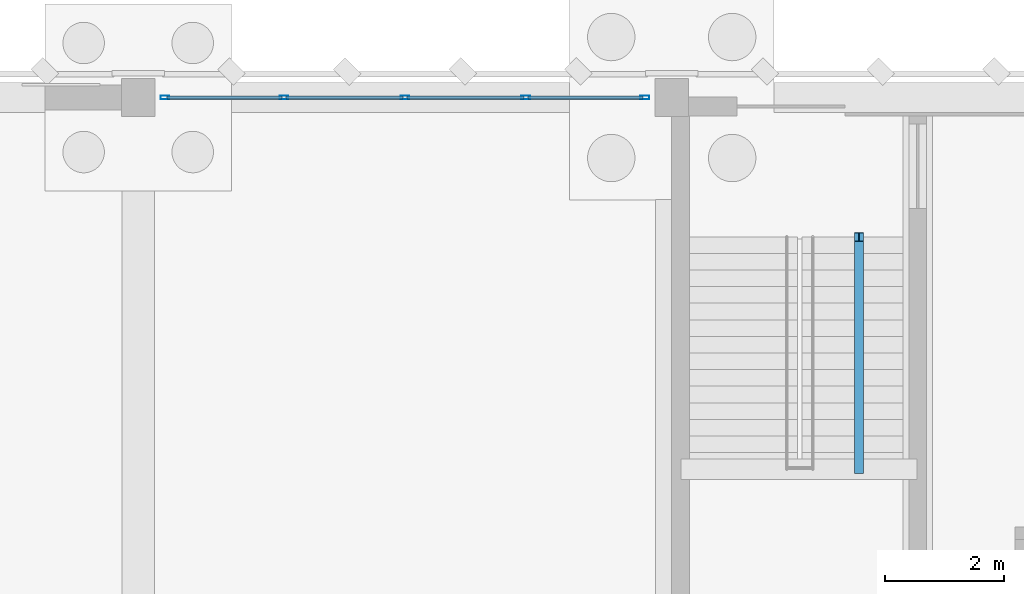
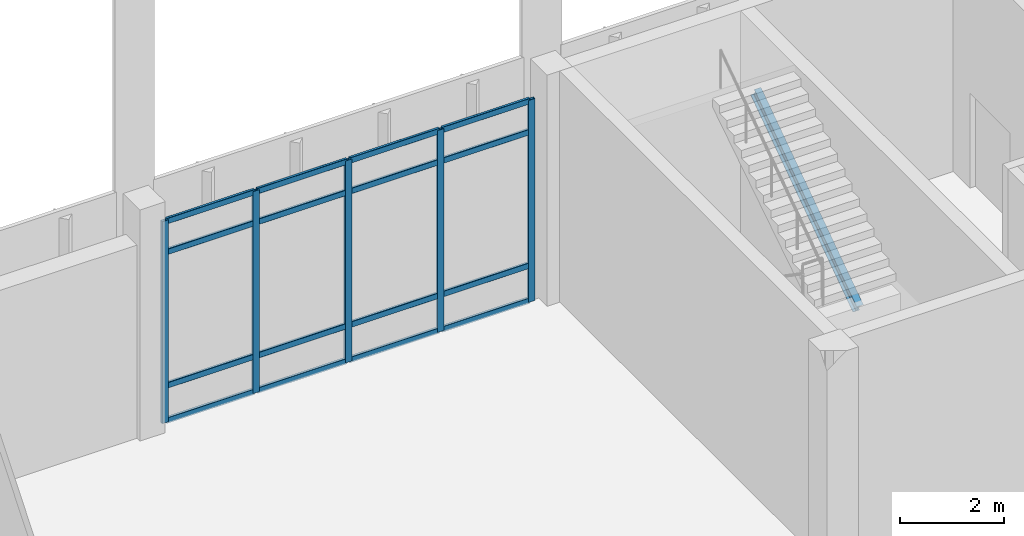
# One storey, part 58 of 109: 21 members, 1 beam, 1 element without a shape of its own.
"""IFC4 building model written with IfcOpenShell, lengths in metres."""

from ifc_helpers import new_model, si_unit, direction, frame, origin, origin_2d, place, context, subcontext, project, spatial, hollow_rectangle, i_section, extrude, material, material_profile, profile_set, type_object, element, aggregate, save


model = new_model("IFC4")

# Units and contexts
model_context = context("Model", 3, precision=1e-05, world=origin(), true_north=direction((0.0, 1.0)))
body_context = subcontext(model_context, "Body", "Model", "MODEL_VIEW")
ifc_project = project(units=[si_unit("LENGTHUNIT", "METRE"), si_unit("AREAUNIT", "SQUARE_METRE"), si_unit("VOLUMEUNIT", "CUBIC_METRE"), si_unit("PLANEANGLEUNIT", "RADIAN"), si_unit("MASSUNIT", "GRAM", prefix="KILO")], contexts=[model_context])

# Site, building, storey
site_placement = place(None, origin())
site = spatial("IfcSite", under=ifc_project, at=site_placement, CompositionType="ELEMENT")
building_placement = place(site_placement, origin())
building = spatial("IfcBuilding", under=site, at=building_placement, Name="Lusvemor Sports Hall", CompositionType="ELEMENT")
storey_placement = place(building_placement, origin())
storey = spatial("IfcBuildingStorey", under=building, at=storey_placement, Name="L00", CompositionType="ELEMENT", Elevation=0.0)

# Curtain wall, members
ifc_material_1 = material(Name="Thermally broken bronze-anodized aluminium", Category="aluminium")
curtain_wall_type = type_object("IfcCurtainWallType", Name="CW_WING_B", PredefinedType="NOTDEFINED", material=ifc_material_1)
curtain_wall_placement = place(storey_placement, origin())
curtain_wall = element("IfcCurtainWall", 1, at=curtain_wall_placement, inside=storey, type_object=curtain_wall_type, Name="Curtain Wall CW-L00-N-1-9", PredefinedType="NOTDEFINED")
ifc_material_2 = material(Name="Thermally broken bronze-anodized aluminium", Category="aluminium")
ifc_material_profile_1 = material_profile(ifc_material_2, hollow_rectangle(XDim=0.06494140625, YDim=0.14990234375, WallThickness=0.00390625, InnerFilletRadius=0.00390625, OuterFilletRadius=0.008056640625, at=origin_2d()), Name="CWMUL150x65x4")
ifc_profile_set_1 = profile_set([ifc_material_profile_1], Name="Thermally broken bronze-anodized aluminium")
member_type_1 = type_object("IfcMemberType", Name="CW_MUL_B", PredefinedType="MULLION", material=ifc_profile_set_1)
member_1_placement = place(storey_placement, frame((94.052490234375, 115.199951171875, 0.0), z_axis=(0.0, 0.0, 1.0), x_axis=(0.0, 1.0, 0.0)))
member_1 = element("IfcMember", 2, at=member_1_placement, type_object=member_type_1, Name="CW02 mullion 1", PredefinedType="MULLION", context=body_context, shape_type="SweptSolid", body=[
    extrude(hollow_rectangle(XDim=0.06494140625, YDim=0.14990234375, WallThickness=0.00390625, InnerFilletRadius=0.00390625, OuterFilletRadius=0.008056640625, at=origin_2d()), origin(), (0.0, 0.0, 1.0), 4.719970703125),
])
member_2_placement = place(storey_placement, frame((96.06005859375, 115.199951171875, 0.0), z_axis=(0.0, 0.0, 1.0), x_axis=(0.0, 1.0, 0.0)))
member_2 = element("IfcMember", 3, at=member_2_placement, type_object=member_type_1, Name="CW02 mullion 2", PredefinedType="MULLION", context=body_context, shape_type="SweptSolid", body=[
    extrude(hollow_rectangle(XDim=0.06494140625, YDim=0.14990234375, WallThickness=0.00390625, InnerFilletRadius=0.00390625, OuterFilletRadius=0.008056640625, at=origin_2d()), origin(), (0.0, 0.0, 1.0), 4.719970703125),
])
member_3_placement = place(storey_placement, frame((98.10009765625, 115.199951171875, 0.0), z_axis=(0.0, 0.0, 1.0), x_axis=(0.0, 1.0, 0.0)))
member_3 = element("IfcMember", 4, at=member_3_placement, type_object=member_type_1, Name="CW02 mullion 3", PredefinedType="MULLION", context=body_context, shape_type="SweptSolid", body=[
    extrude(hollow_rectangle(XDim=0.06494140625, YDim=0.14990234375, WallThickness=0.00390625, InnerFilletRadius=0.00390625, OuterFilletRadius=0.008056640625, at=origin_2d()), origin(), (0.0, 0.0, 1.0), 4.719970703125),
])
member_4_placement = place(storey_placement, frame((100.139892578125, 115.199951171875, 0.0), z_axis=(0.0, 0.0, 1.0), x_axis=(0.0, 1.0, 0.0)))
member_4 = element("IfcMember", 5, at=member_4_placement, type_object=member_type_1, Name="CW02 mullion 4", PredefinedType="MULLION", context=body_context, shape_type="SweptSolid", body=[
    extrude(hollow_rectangle(XDim=0.06494140625, YDim=0.14990234375, WallThickness=0.00390625, InnerFilletRadius=0.00390625, OuterFilletRadius=0.008056640625, at=origin_2d()), origin(), (0.0, 0.0, 1.0), 4.719970703125),
])
member_5_placement = place(storey_placement, frame((102.1474609375, 115.199951171875, 0.0), z_axis=(0.0, 0.0, 1.0), x_axis=(0.0, 1.0, 0.0)))
member_5 = element("IfcMember", 6, at=member_5_placement, type_object=member_type_1, Name="CW02 mullion 5", PredefinedType="MULLION", context=body_context, shape_type="SweptSolid", body=[
    extrude(hollow_rectangle(XDim=0.06494140625, YDim=0.14990234375, WallThickness=0.00390625, InnerFilletRadius=0.00390625, OuterFilletRadius=0.008056640625, at=origin_2d()), origin(), (0.0, 0.0, 1.0), 4.719970703125),
])
ifc_material_3 = material(Name="Thermally broken bronze-anodized aluminium", Category="aluminium")
ifc_material_profile_2 = material_profile(ifc_material_3, hollow_rectangle(XDim=0.06005859375, YDim=0.135009765625, WallThickness=0.00390625, InnerFilletRadius=0.00390625, OuterFilletRadius=0.008056640625, at=origin_2d()), Name="CWTRN135x60x4")
ifc_profile_set_2 = profile_set([ifc_material_profile_2], Name="Thermally broken bronze-anodized aluminium")
member_type_2 = type_object("IfcMemberType", Name="CW_TRN_B", PredefinedType="USERDEFINED", material=ifc_profile_set_2)
member_6_placement = place(storey_placement, frame((94.0849609375, 115.199951171875, 0.030029296875), z_axis=(1.0, 0.0, 0.0), x_axis=(0.0, 1.0, 0.0)))
member_6 = element("IfcMember", 7, at=member_6_placement, type_object=member_type_2, Name="CW02 transom 1.1", ObjectType="TRANSOM", PredefinedType="USERDEFINED", context=body_context, shape_type="SweptSolid", body=[
    extrude(hollow_rectangle(XDim=0.06005859375, YDim=0.135009765625, WallThickness=0.00390625, InnerFilletRadius=0.00390625, OuterFilletRadius=0.008056640625, at=origin_2d()), origin(), (0.0, 0.0, 1.0), 1.942626953125),
])
member_7_placement = place(storey_placement, frame((94.0849609375, 115.199951171875, 0.85009765625), z_axis=(1.0, 0.0, 0.0), x_axis=(0.0, 1.0, 0.0)))
member_7 = element("IfcMember", 8, at=member_7_placement, type_object=member_type_2, Name="CW02 transom 1.2", ObjectType="TRANSOM", PredefinedType="USERDEFINED", context=body_context, shape_type="SweptSolid", body=[
    extrude(hollow_rectangle(XDim=0.06005859375, YDim=0.135009765625, WallThickness=0.00390625, InnerFilletRadius=0.00390625, OuterFilletRadius=0.008056640625, at=origin_2d()), origin(), (0.0, 0.0, 1.0), 1.942626953125),
])
member_8_placement = place(storey_placement, frame((94.0849609375, 115.199951171875, 3.969970703125), z_axis=(1.0, 0.0, 0.0), x_axis=(0.0, 1.0, 0.0)))
member_8 = element("IfcMember", 9, at=member_8_placement, type_object=member_type_2, Name="CW02 transom 1.3", ObjectType="TRANSOM", PredefinedType="USERDEFINED", context=body_context, shape_type="SweptSolid", body=[
    extrude(hollow_rectangle(XDim=0.06005859375, YDim=0.135009765625, WallThickness=0.00390625, InnerFilletRadius=0.00390625, OuterFilletRadius=0.008056640625, at=origin_2d()), origin(), (0.0, 0.0, 1.0), 1.942626953125),
])
member_9_placement = place(storey_placement, frame((94.0849609375, 115.199951171875, 4.68994140625), z_axis=(1.0, 0.0, 0.0), x_axis=(0.0, 1.0, 0.0)))
member_9 = element("IfcMember", 10, at=member_9_placement, type_object=member_type_2, Name="CW02 transom 1.4", ObjectType="TRANSOM", PredefinedType="USERDEFINED", context=body_context, shape_type="SweptSolid", body=[
    extrude(hollow_rectangle(XDim=0.06005859375, YDim=0.135009765625, WallThickness=0.00390625, InnerFilletRadius=0.00390625, OuterFilletRadius=0.008056640625, at=origin_2d()), origin(), (0.0, 0.0, 1.0), 1.942626953125),
])
member_10_placement = place(storey_placement, frame((96.092529296875, 115.199951171875, 0.030029296875), z_axis=(1.0, 0.0, 0.0), x_axis=(0.0, 1.0, 0.0)))
member_10 = element("IfcMember", 11, at=member_10_placement, type_object=member_type_2, Name="CW02 transom 2.1", ObjectType="TRANSOM", PredefinedType="USERDEFINED", context=body_context, shape_type="SweptSolid", body=[
    extrude(hollow_rectangle(XDim=0.06005859375, YDim=0.135009765625, WallThickness=0.00390625, InnerFilletRadius=0.00390625, OuterFilletRadius=0.008056640625, at=origin_2d()), origin(), (0.0, 0.0, 1.0), 1.974853515625),
])
member_11_placement = place(storey_placement, frame((96.092529296875, 115.199951171875, 0.85009765625), z_axis=(1.0, 0.0, 0.0), x_axis=(0.0, 1.0, 0.0)))
member_11 = element("IfcMember", 12, at=member_11_placement, type_object=member_type_2, Name="CW02 transom 2.2", ObjectType="TRANSOM", PredefinedType="USERDEFINED", context=body_context, shape_type="SweptSolid", body=[
    extrude(hollow_rectangle(XDim=0.06005859375, YDim=0.135009765625, WallThickness=0.00390625, InnerFilletRadius=0.00390625, OuterFilletRadius=0.008056640625, at=origin_2d()), origin(), (0.0, 0.0, 1.0), 1.974853515625),
])
member_12_placement = place(storey_placement, frame((96.092529296875, 115.199951171875, 3.969970703125), z_axis=(1.0, 0.0, 0.0), x_axis=(0.0, 1.0, 0.0)))
member_12 = element("IfcMember", 13, at=member_12_placement, type_object=member_type_2, Name="CW02 transom 2.3", ObjectType="TRANSOM", PredefinedType="USERDEFINED", context=body_context, shape_type="SweptSolid", body=[
    extrude(hollow_rectangle(XDim=0.06005859375, YDim=0.135009765625, WallThickness=0.00390625, InnerFilletRadius=0.00390625, OuterFilletRadius=0.008056640625, at=origin_2d()), origin(), (0.0, 0.0, 1.0), 1.974853515625),
])
member_13_placement = place(storey_placement, frame((96.092529296875, 115.199951171875, 4.68994140625), z_axis=(1.0, 0.0, 0.0), x_axis=(0.0, 1.0, 0.0)))
member_13 = element("IfcMember", 14, at=member_13_placement, type_object=member_type_2, Name="CW02 transom 2.4", ObjectType="TRANSOM", PredefinedType="USERDEFINED", context=body_context, shape_type="SweptSolid", body=[
    extrude(hollow_rectangle(XDim=0.06005859375, YDim=0.135009765625, WallThickness=0.00390625, InnerFilletRadius=0.00390625, OuterFilletRadius=0.008056640625, at=origin_2d()), origin(), (0.0, 0.0, 1.0), 1.974853515625),
])
member_14_placement = place(storey_placement, frame((98.132568359375, 115.199951171875, 0.030029296875), z_axis=(1.0, 0.0, 0.0), x_axis=(0.0, 1.0, 0.0)))
member_14 = element("IfcMember", 15, at=member_14_placement, type_object=member_type_2, Name="CW02 transom 3.1", ObjectType="TRANSOM", PredefinedType="USERDEFINED", context=body_context, shape_type="SweptSolid", body=[
    extrude(hollow_rectangle(XDim=0.06005859375, YDim=0.135009765625, WallThickness=0.00390625, InnerFilletRadius=0.00390625, OuterFilletRadius=0.008056640625, at=origin_2d()), origin(), (0.0, 0.0, 1.0), 1.974853515625),
])
member_15_placement = place(storey_placement, frame((98.132568359375, 115.199951171875, 0.85009765625), z_axis=(1.0, 0.0, 0.0), x_axis=(0.0, 1.0, 0.0)))
member_15 = element("IfcMember", 16, at=member_15_placement, type_object=member_type_2, Name="CW02 transom 3.2", ObjectType="TRANSOM", PredefinedType="USERDEFINED", context=body_context, shape_type="SweptSolid", body=[
    extrude(hollow_rectangle(XDim=0.06005859375, YDim=0.135009765625, WallThickness=0.00390625, InnerFilletRadius=0.00390625, OuterFilletRadius=0.008056640625, at=origin_2d()), origin(), (0.0, 0.0, 1.0), 1.974853515625),
])
member_16_placement = place(storey_placement, frame((98.132568359375, 115.199951171875, 3.969970703125), z_axis=(1.0, 0.0, 0.0), x_axis=(0.0, 1.0, 0.0)))
member_16 = element("IfcMember", 17, at=member_16_placement, type_object=member_type_2, Name="CW02 transom 3.3", ObjectType="TRANSOM", PredefinedType="USERDEFINED", context=body_context, shape_type="SweptSolid", body=[
    extrude(hollow_rectangle(XDim=0.06005859375, YDim=0.135009765625, WallThickness=0.00390625, InnerFilletRadius=0.00390625, OuterFilletRadius=0.008056640625, at=origin_2d()), origin(), (0.0, 0.0, 1.0), 1.974853515625),
])
member_17_placement = place(storey_placement, frame((98.132568359375, 115.199951171875, 4.68994140625), z_axis=(1.0, 0.0, 0.0), x_axis=(0.0, 1.0, 0.0)))
member_17 = element("IfcMember", 18, at=member_17_placement, type_object=member_type_2, Name="CW02 transom 3.4", ObjectType="TRANSOM", PredefinedType="USERDEFINED", context=body_context, shape_type="SweptSolid", body=[
    extrude(hollow_rectangle(XDim=0.06005859375, YDim=0.135009765625, WallThickness=0.00390625, InnerFilletRadius=0.00390625, OuterFilletRadius=0.008056640625, at=origin_2d()), origin(), (0.0, 0.0, 1.0), 1.974853515625),
])
member_18_placement = place(storey_placement, frame((100.172607421875, 115.199951171875, 0.030029296875), z_axis=(1.0, 0.0, 0.0), x_axis=(0.0, 1.0, 0.0)))
member_18 = element("IfcMember", 19, at=member_18_placement, type_object=member_type_2, Name="CW02 transom 4.1", ObjectType="TRANSOM", PredefinedType="USERDEFINED", context=body_context, shape_type="SweptSolid", body=[
    extrude(hollow_rectangle(XDim=0.06005859375, YDim=0.135009765625, WallThickness=0.00390625, InnerFilletRadius=0.00390625, OuterFilletRadius=0.008056640625, at=origin_2d()), origin(), (0.0, 0.0, 1.0), 1.9423828125),
])
member_19_placement = place(storey_placement, frame((100.172607421875, 115.199951171875, 0.85009765625), z_axis=(1.0, 0.0, 0.0), x_axis=(0.0, 1.0, 0.0)))
member_19 = element("IfcMember", 20, at=member_19_placement, type_object=member_type_2, Name="CW02 transom 4.2", ObjectType="TRANSOM", PredefinedType="USERDEFINED", context=body_context, shape_type="SweptSolid", body=[
    extrude(hollow_rectangle(XDim=0.06005859375, YDim=0.135009765625, WallThickness=0.00390625, InnerFilletRadius=0.00390625, OuterFilletRadius=0.008056640625, at=origin_2d()), origin(), (0.0, 0.0, 1.0), 1.9423828125),
])
member_20_placement = place(storey_placement, frame((100.172607421875, 115.199951171875, 3.969970703125), z_axis=(1.0, 0.0, 0.0), x_axis=(0.0, 1.0, 0.0)))
member_20 = element("IfcMember", 21, at=member_20_placement, type_object=member_type_2, Name="CW02 transom 4.3", ObjectType="TRANSOM", PredefinedType="USERDEFINED", context=body_context, shape_type="SweptSolid", body=[
    extrude(hollow_rectangle(XDim=0.06005859375, YDim=0.135009765625, WallThickness=0.00390625, InnerFilletRadius=0.00390625, OuterFilletRadius=0.008056640625, at=origin_2d()), origin(), (0.0, 0.0, 1.0), 1.9423828125),
])
member_21_placement = place(storey_placement, frame((100.172607421875, 115.199951171875, 4.68994140625), z_axis=(1.0, 0.0, 0.0), x_axis=(0.0, 1.0, 0.0)))
member_21 = element("IfcMember", 22, at=member_21_placement, type_object=member_type_2, Name="CW02 transom 4.4", ObjectType="TRANSOM", PredefinedType="USERDEFINED", context=body_context, shape_type="SweptSolid", body=[
    extrude(hollow_rectangle(XDim=0.06005859375, YDim=0.135009765625, WallThickness=0.00390625, InnerFilletRadius=0.00390625, OuterFilletRadius=0.008056640625, at=origin_2d()), origin(), (0.0, 0.0, 1.0), 1.9423828125),
])
aggregate(curtain_wall, [member_1, member_2, member_3, member_4, member_5, member_6, member_7, member_8, member_9, member_10, member_11, member_12, member_13, member_14, member_15, member_16, member_17, member_18, member_19, member_20, member_21])

# Beam
ifc_material_4 = material(Name="Steel S355", Category="steel")
ifc_material_profile_3 = material_profile(ifc_material_4, i_section(OverallWidth=0.14794921875, OverallDepth=0.26611328125, WebThickness=0.007568359375, FlangeThickness=0.012939453125, FilletRadius=0.012939453125, at=origin_2d()), Name="W250x44.8")
ifc_profile_set_3 = profile_set([ifc_material_profile_3], Name="Steel S355")
beam_type = type_object("IfcBeamType", Name="JOIST_ST_250M", PredefinedType="JOIST", material=ifc_profile_set_3)
beam_placement = place(storey_placement, frame((105.760009765625, 108.929931640625, 2.35498046875), z_axis=(0.0, 0.823567234665, 0.567218661528), x_axis=(-1.0, 0.0, 0.0)))
element("IfcBeam", 23, at=beam_placement, inside=storey, type_object=beam_type, Name="Stair STR-C4-L00 Flight 2 Stringer Beam", PredefinedType="JOIST", context=body_context, shape_type="SweptSolid", body=[
    extrude(i_section(OverallWidth=0.14794921875, OverallDepth=0.26611328125, WebThickness=0.007568359375, FlangeThickness=0.012939453125, FilletRadius=0.012939453125, at=origin_2d()), origin(), (0.0, 0.0, 1.0), 4.760009765625),
])

save(model, "model.ifc")
